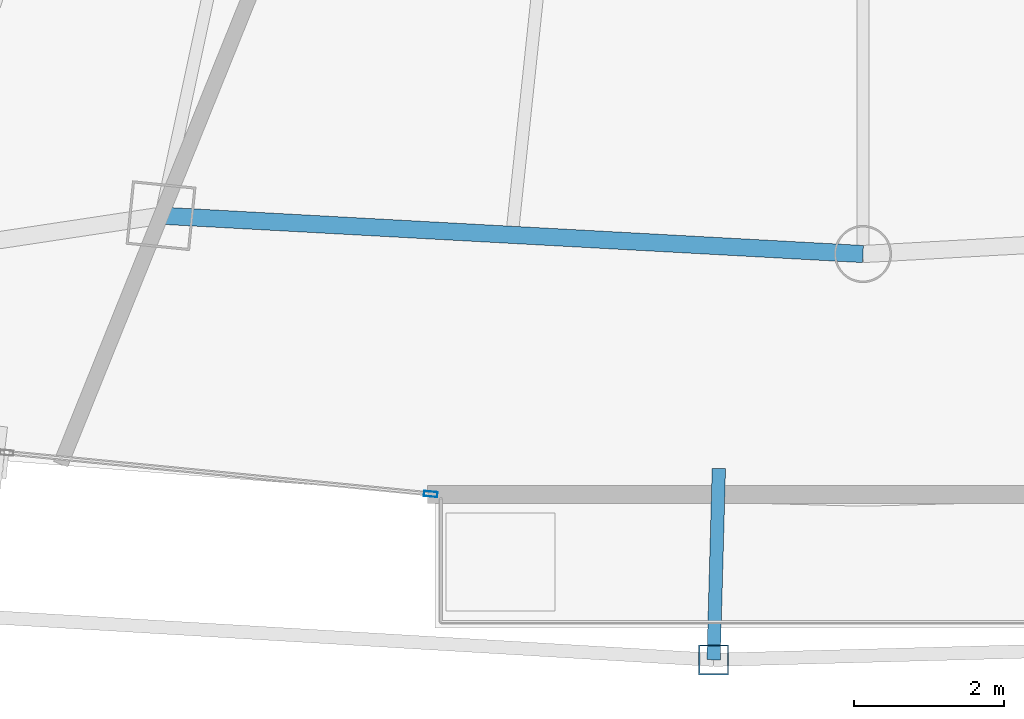
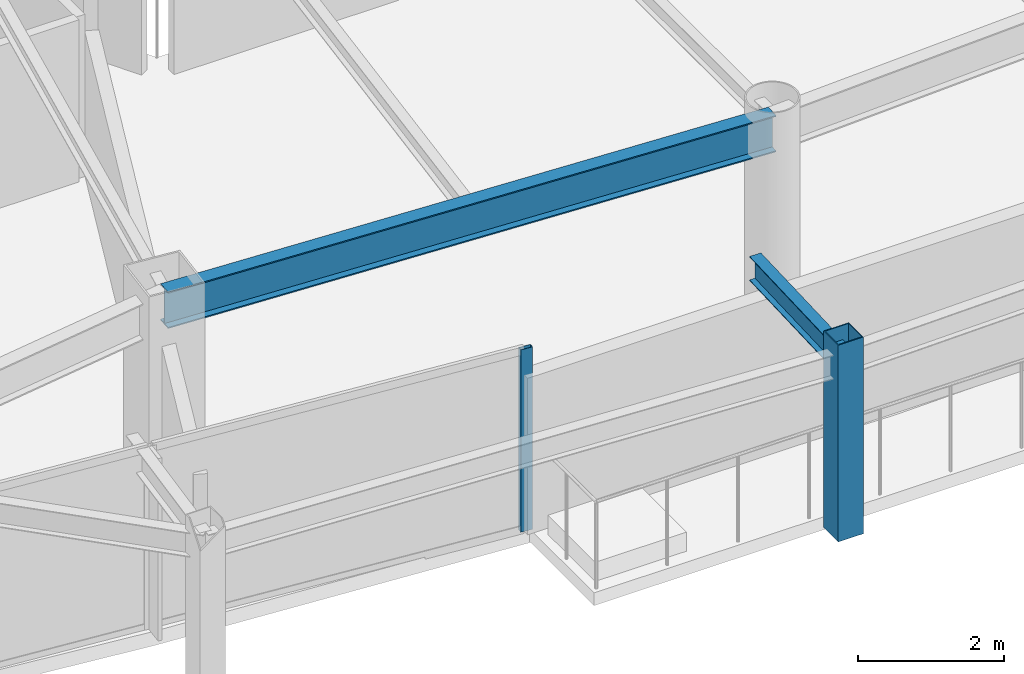
# One storey, part 7 of 31: 2 beams, 2 members, 1 element without a shape of its own.
"""IFC4 building model written with IfcOpenShell, lengths in metres."""

from ifc_helpers import new_model, si_unit, direction, frame, origin, origin_2d, place, context, subcontext, project, spatial, hollow_rectangle, i_section, extrude, material, layer, layer_set, material_profile, profile_set, type_object, element, aggregate, save


model = new_model("IFC4")

# Units and contexts
model_context = context("Model", 3, precision=1e-05, world=origin(), true_north=direction((0.0, 1.0)))
body_context = subcontext(model_context, "Body", "Model", "MODEL_VIEW")
ifc_project = project(units=[si_unit("LENGTHUNIT", "METRE"), si_unit("AREAUNIT", "SQUARE_METRE"), si_unit("VOLUMEUNIT", "CUBIC_METRE"), si_unit("PLANEANGLEUNIT", "RADIAN"), si_unit("MASSUNIT", "GRAM", prefix="KILO")], contexts=[model_context])

# Site, building, storey
site_placement = place(None, origin())
site = spatial("IfcSite", under=ifc_project, at=site_placement, CompositionType="ELEMENT")
building_placement = place(site_placement, origin())
building = spatial("IfcBuilding", under=site, at=building_placement, Name="Orvanel Arch Residences", CompositionType="ELEMENT")
storey_placement = place(building_placement, frame((0.0, 0.0, 153.949951171875)))
storey = spatial("IfcBuildingStorey", under=building, at=storey_placement, Name="L43", CompositionType="ELEMENT", Elevation=153.949951171875)

# Curtain wall, member
ifc_material_1 = material(Name="Bronze-anodised aluminium AA6063-T6", Category="aluminium")
ifc_layer = layer(ifc_material_1, 0.179931640625)
ifc_layer_set = layer_set([ifc_layer], Name="Bronze-anodised aluminium AA6063-T6")
curtain_wall_type = type_object("IfcCurtainWallType", Name="CW3-MID-SYS", PredefinedType="NOTDEFINED", material=ifc_layer_set)
curtain_wall_placement = place(storey_placement, origin())
curtain_wall = element("IfcCurtainWall", 1, at=curtain_wall_placement, inside=storey, type_object=curtain_wall_type, Name="L43 CW3-MID-SYS Unitised Curtain Wall", PredefinedType="NOTDEFINED")
ifc_material_profile_1 = material_profile(ifc_material_1, hollow_rectangle(XDim=0.070068359375, YDim=0.179931640625, WallThickness=0.00439453125, at=origin_2d()), Name="ALU180x70x4.5")
ifc_profile_set_1 = profile_set([ifc_material_profile_1], Name="Bronze-anodised aluminium AA6063-T6")
member_type_1 = type_object("IfcMemberType", Name="MUL-180x70", PredefinedType="MULLION", material=ifc_profile_set_1)
member_1_placement = place(storey_placement, frame((27.2412109375, 3.646484375, 0.0), z_axis=(0.0, 0.0, 1.0), x_axis=(0.097085158831, 0.995276078249, 0.0)))
member_1 = element("IfcMember", 2, at=member_1_placement, type_object=member_type_1, Name="CW-S3 mullion 3", PredefinedType="MULLION", context=body_context, shape_type="SweptSolid", body=[
    extrude(hollow_rectangle(XDim=0.070068359375, YDim=0.179931640625, WallThickness=0.00439453125, at=origin_2d()), origin(), (0.0, 0.0, 1.0), 3.06005859375),
])
aggregate(curtain_wall, [member_1])

# Beams
ifc_material_2 = material(Name="Structural steel AS/NZS 3679.1 Grade 300 (300 MPa)", Category="steel")
ifc_material_profile_2 = material_profile(ifc_material_2, i_section(OverallWidth=0.177978515625, OverallDepth=0.406005859375, WebThickness=0.0078125, FlangeThickness=0.0126953125, at=origin_2d()), Name="410UB59.7")
ifc_profile_set_2 = profile_set([ifc_material_profile_2], Name="Structural steel AS/NZS 3679.1 Grade 300 (300 MPa)")
beam_type_1 = type_object("IfcBeamType", Name="OB-410UB-EXT", PredefinedType="SPANDREL", material=ifc_profile_set_2)
beam_1_placement = place(storey_placement, frame((31.080078125, 3.987060546875, 2.85693359375), z_axis=(-0.027477409816, -0.999622424693, 0.0), x_axis=(0.999622424693, -0.027477409816, 0.0)))
element("IfcBeam", 3, at=beam_1_placement, inside=storey, type_object=beam_type_1, Name="L43 Outer Frame Radial Tie Beam 06", PredefinedType="SPANDREL", context=body_context, shape_type="SweptSolid", body=[
    extrude(i_section(OverallWidth=0.177978515625, OverallDepth=0.406005859375, WebThickness=0.0078125, FlangeThickness=0.0126953125, at=origin_2d()), origin(), (0.0, 0.0, 1.0), 2.550048828125),
])
ifc_material_profile_3 = material_profile(ifc_material_2, i_section(OverallWidth=0.22900390625, OverallDepth=0.612060546875, WebThickness=0.011962890625, FlangeThickness=0.01953125, at=origin_2d()), Name="610UB125")
ifc_profile_set_3 = profile_set([ifc_material_profile_3], Name="Structural steel AS/NZS 3679.1 Grade 300 (300 MPa)")
beam_type_2 = type_object("IfcBeamType", Name="SP-610UB", PredefinedType="SPANDREL", material=ifc_profile_set_3)
beam_2_placement = place(storey_placement, frame((23.64892578125, 7.35498046875, 2.754150390625), z_axis=(0.998510315598, -0.054563262768, 0.0), x_axis=(0.054563262768, 0.998510315598, 0.0)))
element("IfcBeam", 4, at=beam_2_placement, inside=storey, type_object=beam_type_2, Name="L43 Perimeter Spandrel Beam 05", PredefinedType="SPANDREL", context=body_context, shape_type="SweptSolid", body=[
    extrude(i_section(OverallWidth=0.22900390625, OverallDepth=0.612060546875, WebThickness=0.011962890625, FlangeThickness=0.01953125, at=origin_2d()), origin(), (0.0, 0.0, 1.0), 9.364990234375),
])

# Member
ifc_material_3 = material(Name="Structural steel AS/NZS 1163 C450L0 (Grade 450)", Category="steel")
ifc_material_profile_4 = material_profile(ifc_material_3, hollow_rectangle(XDim=0.39990234375, YDim=0.39990234375, WallThickness=0.01611328125, at=origin_2d()), Name="SHS400x400x16")
ifc_profile_set_4 = profile_set([ifc_material_profile_4], Name="Structural steel AS/NZS 1163 C450L0 (Grade 450)")
member_type_2 = type_object("IfcMemberType", Name="ST-400SHS-EXT", PredefinedType="STRUT", material=ifc_profile_set_4)
member_2_placement = place(storey_placement, frame((31.010009765625, 1.43798828125, 0.0), z_axis=(0.0, 0.0, 1.0), x_axis=(1.0, 0.0, 0.0)))
element("IfcMember", 5, at=member_2_placement, inside=storey, type_object=member_type_2, Name="L43 Outer Perimeter Frame Post 06", PredefinedType="STRUT", context=body_context, shape_type="SweptSolid", body=[
    extrude(hollow_rectangle(XDim=0.39990234375, YDim=0.39990234375, WallThickness=0.01611328125, at=origin_2d()), origin(), (0.0, 0.0, 1.0), 3.300048828125),
])

save(model, "model.ifc")
